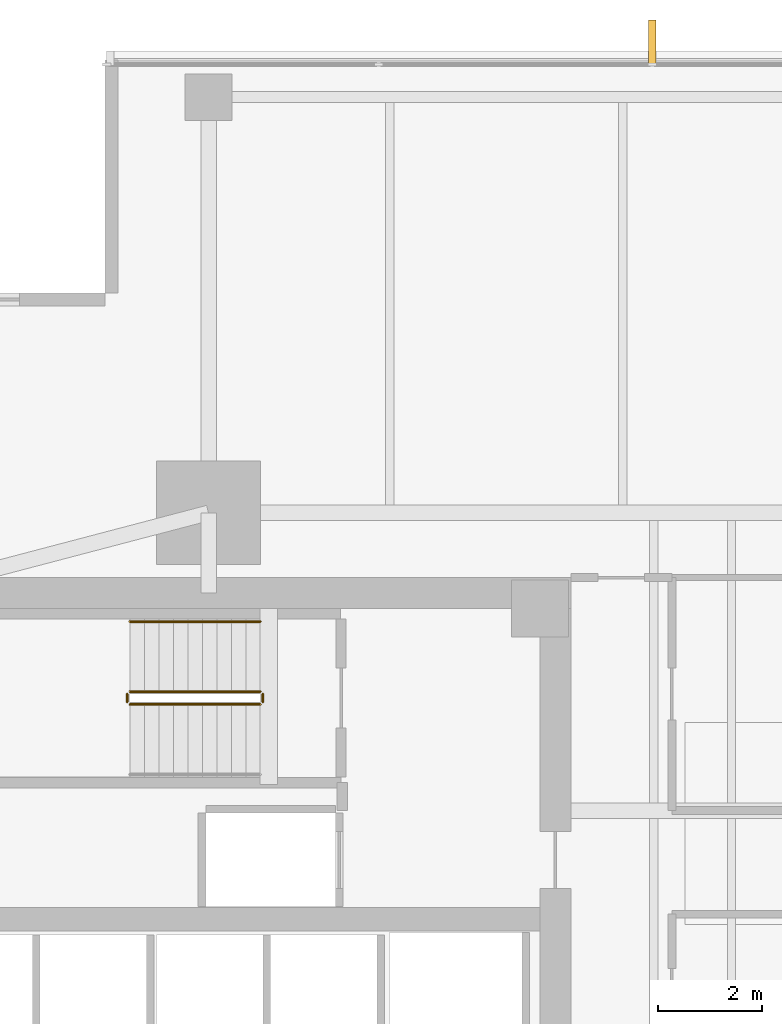
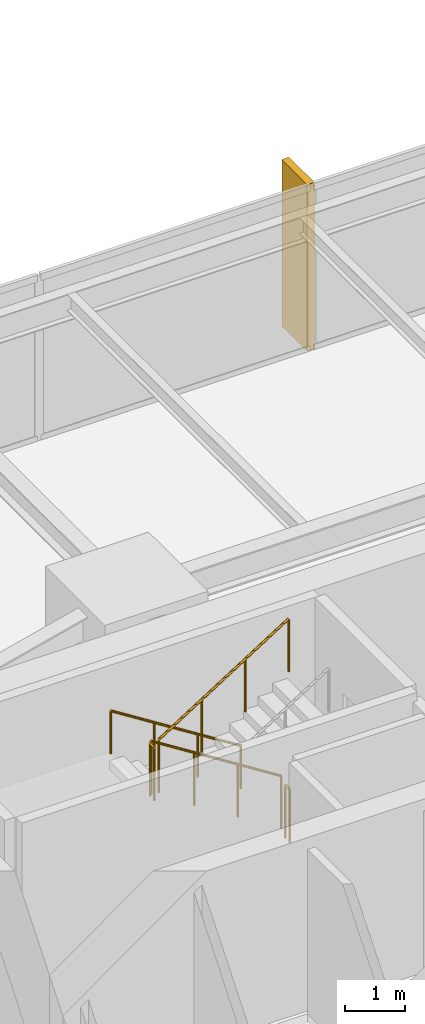
# One storey, part 13 of 14: 5 railings, 1 covering.
"""IFC4 building model written with IfcOpenShell, lengths in metres."""

from ifc_helpers import new_model, si_unit, direction, frame, origin, origin_2d, place, context, subcontext, project, spatial, polyline, circle, outline, extrude, material, layer, layer_set, type_object, element, save


model = new_model("IFC4")

# Units and contexts
model_context = context("Model", 3, precision=1e-05, world=origin(), true_north=direction((0.0, 1.0)))
body_context = subcontext(model_context, "Body", "Model", "MODEL_VIEW")
ifc_project = project(units=[si_unit("LENGTHUNIT", "METRE"), si_unit("AREAUNIT", "SQUARE_METRE"), si_unit("VOLUMEUNIT", "CUBIC_METRE"), si_unit("PLANEANGLEUNIT", "RADIAN"), si_unit("MASSUNIT", "GRAM", prefix="KILO")], contexts=[model_context])

# Site, building, storey
site_placement = place(None, origin())
site = spatial("IfcSite", under=ifc_project, at=site_placement, CompositionType="ELEMENT")
building_placement = place(site_placement, origin())
building = spatial("IfcBuilding", under=site, at=building_placement, Name="Kinhvarn Gate Tower", CompositionType="ELEMENT")
storey_placement = place(building_placement, frame((0.0, 0.0, 148.39990234375)))
storey = spatial("IfcBuildingStorey", under=building, at=storey_placement, Name="L39", CompositionType="ELEMENT", Elevation=148.39990234375)

# Covering
ifc_material_1 = material(Name="Fired architectural terracotta", Category="masonry")
ifc_layer = layer(ifc_material_1, 0.139892578125)
ifc_layer_set = layer_set([ifc_layer], Name="Fired architectural terracotta")
covering_type = type_object("IfcCoveringType", Name="COV-FIN-850", PredefinedType="CLADDING", material=ifc_layer_set)
covering_placement = place(storey_placement, frame((0.0, 0.0, -0.02001953125)))
element("IfcCovering", 1, at=covering_placement, inside=storey, type_object=covering_type, Name="Vertical Terracotta Expressive Fin TFN-850 (L39)", PredefinedType="CLADDING", context=body_context, shape_type="SweptSolid", body=[
    extrude(outline(polyline([(19.641357421875, 46.419921875), (19.50146484375, 46.419921875), (19.50146484375, 47.27001953125), (19.641357421875, 47.27001953125), (19.641357421875, 46.419921875)])), origin(), (0.0, 0.0, 1.0), 3.41015625),
])

# Railings
ifc_material_2 = material(Name="Steel S355", Category="steel")
railing_type_1 = type_object("IfcRailingType", Name="RL-ST-GRD", PredefinedType="BALUSTRADE", material=ifc_material_2)
railing_1_placement = place(storey_placement, frame((12.0, 34.300048828125, 0.177490234375)))
element("IfcRailing", 2, at=railing_1_placement, inside=storey, type_object=railing_type_1, Name="L39 ST2 stair guard 1", PredefinedType="BALUSTRADE", context=body_context, shape_type="SweptSolid", body=[
    extrude(circle(Radius=0.02392578125, at=origin_2d()), frame((0.0, 0.0, 1.076171875), z_axis=(-0.84456994832, 0.0, 0.535445237532), x_axis=(0.0, -1.0, 0.0)), (0.0, 0.0, 1.0), 2.98388671875),
    extrude(circle(Radius=0.02099609375, at=origin_2d()), origin(), (0.0, 0.0, 1.0), 1.052001953125),
    extrude(circle(Radius=0.02099609375, at=origin_2d()), frame((-0.840087890625, 0.0, 0.532470703125)), (0.0, 0.0, 1.0), 1.052001953125),
    extrude(circle(Radius=0.02099609375, at=origin_2d()), frame((-1.679931640625, 0.0, 1.065185546875)), (0.0, 0.0, 1.0), 1.052001953125),
    extrude(circle(Radius=0.02099609375, at=origin_2d()), frame((-2.52001953125, 0.0, 1.59765625)), (0.0, 0.0, 1.0), 1.052001953125),
])
railing_2_placement = place(storey_placement, frame((9.429931640625, 34.25, 1.775146484375)))
element("IfcRailing", 3, at=railing_2_placement, inside=storey, type_object=railing_type_1, Name="L39 ST2 stair guard 2", PredefinedType="BALUSTRADE", context=body_context, shape_type="SweptSolid", body=[
    extrude(circle(Radius=0.02392578125, at=origin_2d()), frame((0.0, 0.0, 1.076171875), z_axis=(0.0, -1.0, 0.0), x_axis=(1.0, 0.0, 0.0)), (0.0, 0.0, 1.0), 0.14990234375),
    extrude(circle(Radius=0.02099609375, at=origin_2d()), origin(), (0.0, 0.0, 1.0), 1.052001953125),
    extrude(circle(Radius=0.02099609375, at=origin_2d()), frame((0.0, -0.14990234375, 0.0)), (0.0, 0.0, 1.0), 1.052001953125),
])
railing_3_placement = place(storey_placement, frame((9.47998046875, 34.050048828125, 1.95263671875)))
element("IfcRailing", 4, at=railing_3_placement, inside=storey, type_object=railing_type_1, Name="L39 ST2 stair guard 3", PredefinedType="BALUSTRADE", context=body_context, shape_type="SweptSolid", body=[
    extrude(circle(Radius=0.02392578125, at=origin_2d()), frame((0.0, 0.0, 1.076171875), z_axis=(0.84460694969, 0.0, 0.535386869969), x_axis=(0.0, 1.0, 0.0)), (0.0, 0.0, 1.0), 2.983642578125),
    extrude(circle(Radius=0.02099609375, at=origin_2d()), origin(), (0.0, 0.0, 1.0), 1.052001953125),
    extrude(circle(Radius=0.02099609375, at=origin_2d()), frame((0.840087890625, 0.0, 0.532470703125)), (0.0, 0.0, 1.0), 1.052001953125),
    extrude(circle(Radius=0.02099609375, at=origin_2d()), frame((1.679931640625, 0.0, 1.06494140625)), (0.0, 0.0, 1.0), 1.052001953125),
    extrude(circle(Radius=0.02099609375, at=origin_2d()), frame((2.52001953125, 0.0, 1.597412109375)), (0.0, 0.0, 1.0), 1.052001953125),
])
railing_4_placement = place(storey_placement, frame((12.050048828125, 34.25, 0.0)))
element("IfcRailing", 5, at=railing_4_placement, inside=storey, type_object=railing_type_1, Name="L39 ST2 stair guard 4", PredefinedType="BALUSTRADE", context=body_context, shape_type="SweptSolid", body=[
    extrude(circle(Radius=0.02392578125, at=origin_2d()), frame((0.0, 0.0, 1.076171875), z_axis=(0.0, -1.0, 0.0), x_axis=(1.0, 0.0, 0.0)), (0.0, 0.0, 1.0), 0.14990234375),
    extrude(circle(Radius=0.02099609375, at=origin_2d()), origin(), (0.0, 0.0, 1.0), 1.052001953125),
    extrude(circle(Radius=0.02099609375, at=origin_2d()), frame((0.0, -0.14990234375, 0.0)), (0.0, 0.0, 1.0), 1.052001953125),
])
railing_type_2 = type_object("IfcRailingType", Name="RL-ST-HND", PredefinedType="HANDRAIL", material=ifc_material_2)
railing_5_placement = place(storey_placement, frame((12.0, 35.64990234375, 0.177490234375)))
element("IfcRailing", 6, at=railing_5_placement, inside=storey, type_object=railing_type_2, Name="L39 ST2 stair handrail 1", PredefinedType="HANDRAIL", context=body_context, shape_type="SweptSolid", body=[
    extrude(circle(Radius=0.02392578125, at=origin_2d()), frame((0.0, 0.0, 0.8759765625), z_axis=(-0.84456994832, 0.0, 0.535445237532), x_axis=(0.0, -1.0, 0.0)), (0.0, 0.0, 1.0), 2.98388671875),
    extrude(circle(Radius=0.02099609375, at=origin_2d()), origin(), (0.0, 0.0, 1.0), 0.851806640625),
    extrude(circle(Radius=0.02099609375, at=origin_2d()), frame((-0.840087890625, 0.0, 0.532470703125)), (0.0, 0.0, 1.0), 0.851806640625),
    extrude(circle(Radius=0.02099609375, at=origin_2d()), frame((-1.679931640625, 0.0, 1.065185546875)), (0.0, 0.0, 1.0), 0.851806640625),
    extrude(circle(Radius=0.02099609375, at=origin_2d()), frame((-2.52001953125, 0.0, 1.59765625)), (0.0, 0.0, 1.0), 0.851806640625),
])

save(model, "model.ifc")
